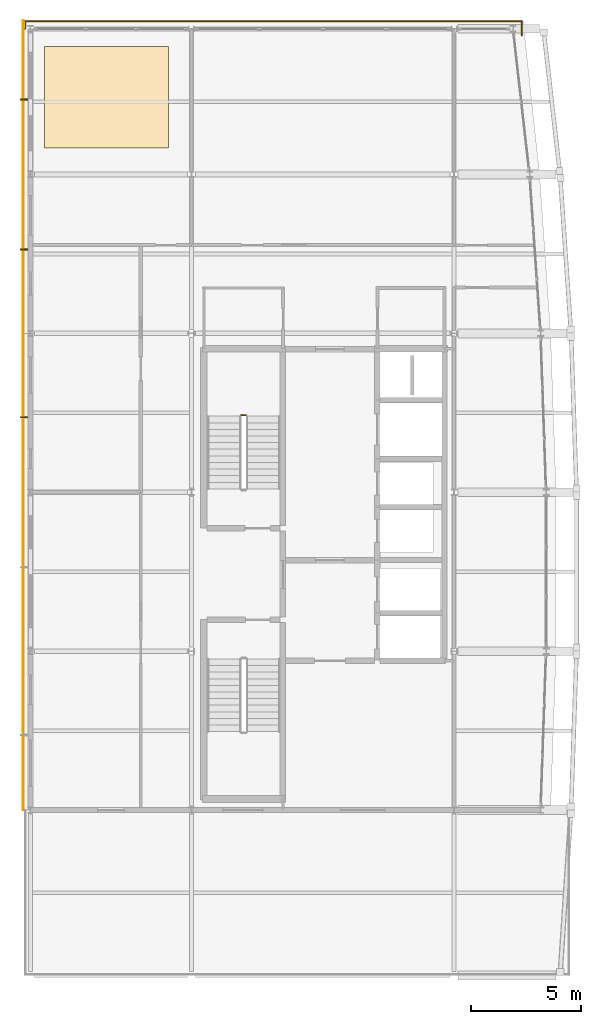
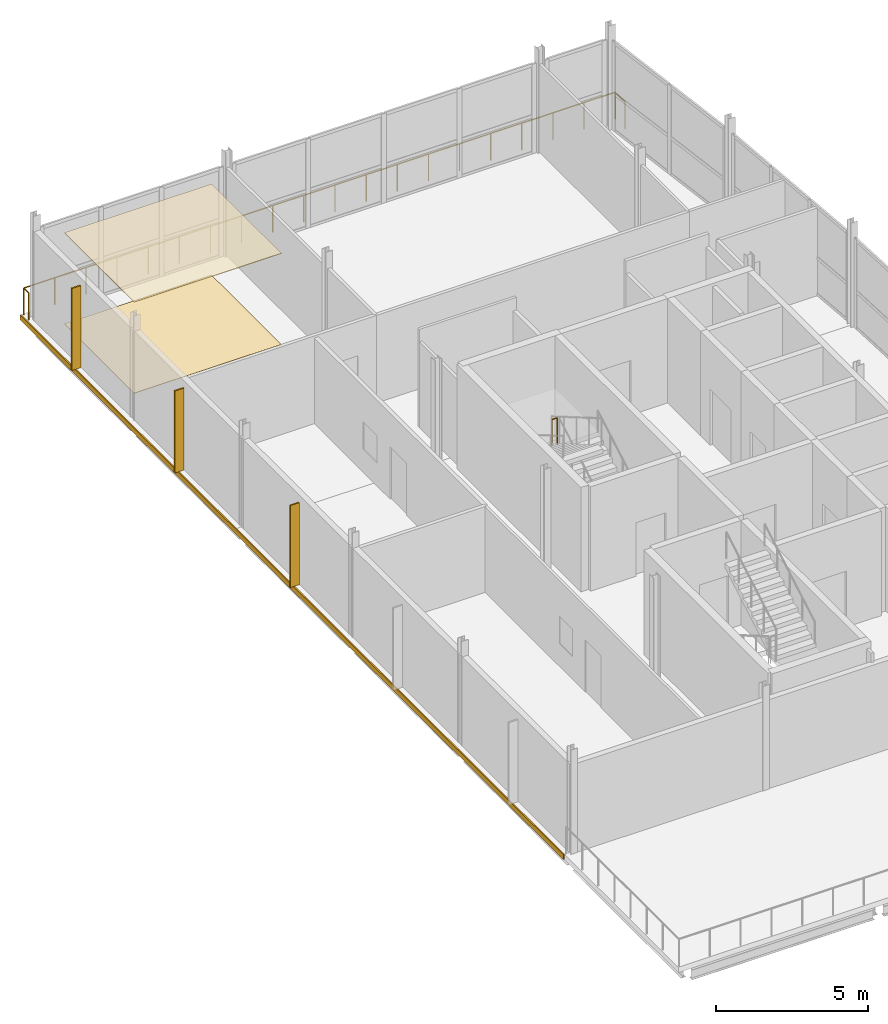
# One storey, part 17 of 17: 3 coverings, 3 shading devices, 2 railings.
"""IFC4 building model written with IfcOpenShell, lengths in metres."""

from ifc_helpers import new_model, si_unit, direction, frame, origin, origin_2d, place, context, subcontext, project, spatial, polyline, rectangle, circle, outline, extrude, material, layer, layer_set, type_object, element, save


model = new_model("IFC4")

# Units and contexts
model_context = context("Model", 3, precision=1e-05, world=origin(), true_north=direction((0.0, 1.0)))
body_context = subcontext(model_context, "Body", "Model", "MODEL_VIEW")
ifc_project = project(units=[si_unit("LENGTHUNIT", "METRE"), si_unit("AREAUNIT", "SQUARE_METRE"), si_unit("VOLUMEUNIT", "CUBIC_METRE"), si_unit("PLANEANGLEUNIT", "RADIAN"), si_unit("MASSUNIT", "GRAM", prefix="KILO")], contexts=[model_context])

# Site, building, storey
site_placement = place(None, origin())
site = spatial("IfcSite", under=ifc_project, at=site_placement, CompositionType="ELEMENT")
building_placement = place(site_placement, origin())
building = spatial("IfcBuilding", under=site, at=building_placement, Name="Quillay Park Conservatory", CompositionType="ELEMENT")
storey_placement = place(building_placement, frame((0.0, 0.0, 60.300048828125)))
storey = spatial("IfcBuildingStorey", under=building, at=storey_placement, Name="L14", CompositionType="ELEMENT", Elevation=60.300048828125)

# Coverings
ifc_material_1 = material(Name="Perforated Mineral-Fibre Acoustic Ceiling")
ifc_layer_1 = layer(ifc_material_1, 0.02490234375)
ifc_layer_set_1 = layer_set([ifc_layer_1], Name="ACOUSTIC MINERAL CEILING 25 (Perforated Mineral-Fibre Acoustic Ceiling)")
covering_type_1 = type_object("IfcCoveringType", Name="ACOUSTIC MINERAL CEILING 25", PredefinedType="CEILING", material=ifc_layer_set_1)
covering_1_placement = place(storey_placement, frame((0.0, 0.0, 3.661865234375)))
element("IfcCovering", 1, at=covering_1_placement, inside=storey, type_object=covering_type_1, Name="L14 Suspended Acoustic Ceiling", PredefinedType="CEILING", context=body_context, shape_type="SweptSolid", body=[
    extrude(outline(polyline([(1.199951171875, 108.0), (6.800048828125, 108.0), (6.800048828125, 112.60009765625), (1.199951171875, 112.60009765625), (1.199951171875, 108.0)])), origin(), (0.0, 0.0, 1.0), 0.025146484375),
])
ifc_material_2 = material(Name="Glass-Fibre Reinforced Concrete (GRC) Cladding", Category="concrete")
ifc_layer_2 = layer(ifc_material_2, 0.044921875)
ifc_layer_set_2 = layer_set([ifc_layer_2], Name="GRC SPANDREL CLADDING 45 (Glass-Fibre Reinforced Concrete (GRC) Cladding)")
covering_type_2 = type_object("IfcCoveringType", Name="GRC SPANDREL CLADDING 45", PredefinedType="CLADDING", material=ifc_layer_set_2)
covering_2_placement = place(storey_placement, frame((0.0, 0.0, -0.199951171875)))
element("IfcCovering", 2, at=covering_2_placement, inside=storey, type_object=covering_type_2, Name="L14 West Folded GRC Spandrel Ribbon", PredefinedType="CLADDING", context=body_context, shape_type="SweptSolid", body=[
    extrude(outline(polyline([(0.205078125, 78.0), (0.25, 78.0), (0.25, 113.800048828125), (0.205078125, 113.800048828125), (0.205078125, 78.0)])), origin(), (0.0, 0.0, 1.0), 0.199951171875),
])
ifc_material_3 = material(Name="Seamless Chemical-Resistant Epoxy Flooring")
ifc_layer_3 = layer(ifc_material_3, 0.01806640625)
ifc_layer_set_3 = layer_set([ifc_layer_3], Name="SEAMLESS EPOXY LAB FLOORING 18 (Seamless Chemical-Resistant Epoxy Flooring)")
covering_type_3 = type_object("IfcCoveringType", Name="SEAMLESS EPOXY LAB FLOORING 18", PredefinedType="FLOORING", material=ifc_layer_set_3)
covering_3_placement = place(storey_placement, origin())
element("IfcCovering", 3, at=covering_3_placement, inside=storey, type_object=covering_type_3, Name="L14 Interior Flooring Finish", PredefinedType="FLOORING", context=body_context, shape_type="SweptSolid", body=[
    extrude(outline(polyline([(1.199951171875, 108.0), (6.800048828125, 108.0), (6.800048828125, 112.60009765625), (1.199951171875, 112.60009765625), (1.199951171875, 108.0)])), origin(), (0.0, 0.0, 1.0), 0.01806640625),
])

# Railings
ifc_material_4 = material(Name="Steel S355J2H", Category="steel")
railing_type_1 = type_object("IfcRailingType", Name="STAIR WELL GUARDRAIL 1100", PredefinedType="GUARDRAIL", material=ifc_material_4)
railing_1_placement = place(storey_placement, frame((10.31005859375, 95.89990234375, 2.099853515625)))
element("IfcRailing", 4, at=railing_1_placement, inside=storey, type_object=railing_type_1, Name="L14 ST-T1 stair guard 2", PredefinedType="GUARDRAIL", context=body_context, shape_type="SweptSolid", body=[
    extrude(circle(Radius=0.02392578125, at=origin_2d()), frame((0.0, 0.0, 1.076171875), z_axis=(-1.0, 0.0, 0.0), x_axis=(0.0, -1.0, 0.0)), (0.0, 0.0, 1.0), 0.199951171875),
    extrude(circle(Radius=0.02099609375, at=origin_2d()), origin(), (0.0, 0.0, 1.0), 1.052001953125),
    extrude(circle(Radius=0.02099609375, at=origin_2d()), frame((-0.199951171875, 0.0, 0.0)), (0.0, 0.0, 1.0), 1.052001953125),
])
ifc_material_5 = material(Name="Steel S355J2H", Category="steel")
railing_type_2 = type_object("IfcRailingType", Name="TERRACE PERIMETER GUARDRAIL 1100", PredefinedType="GUARDRAIL", material=ifc_material_5)
railing_2_placement = place(storey_placement, frame((0.31005859375, 113.39990234375, 0.0)))
element("IfcRailing", 5, at=railing_2_placement, inside=storey, type_object=railing_type_2, Name="L14 Perimeter Safety Guardrail 040", PredefinedType="GUARDRAIL", context=body_context, shape_type="SweptSolid", body=[
    extrude(circle(Radius=0.02392578125, at=origin_2d()), frame((0.0, 0.0, 1.076171875), z_axis=(0.0, 1.0, 0.0), x_axis=(-1.0, 0.0, 0.0)), (0.0, 0.0, 1.0), 0.340087890625),
    extrude(circle(Radius=0.02392578125, at=origin_2d()), frame((0.0, 0.340087890625, 1.076171875), z_axis=(1.0, 0.0, 0.0), x_axis=(0.0, 1.0, 0.0)), (0.0, 0.0, 1.0), 22.5048828125),
    extrude(circle(Radius=0.02392578125, at=origin_2d()), frame((22.5048828125, 0.340087890625, 1.076171875), z_axis=(0.0, -1.0, 0.0), x_axis=(1.0, 0.0, 0.0)), (0.0, 0.0, 1.0), 0.639892578125),
    extrude(circle(Radius=0.02099609375, at=origin_2d()), origin(), (0.0, 0.0, 1.0), 1.052001953125),
    extrude(circle(Radius=0.02099609375, at=origin_2d()), frame((0.0, 0.340087890625, 0.0)), (0.0, 0.0, 1.0), 1.052001953125),
    extrude(circle(Radius=0.02099609375, at=origin_2d()), frame((1.1845703125, 0.340087890625, 0.0)), (0.0, 0.0, 1.0), 1.052001953125),
    extrude(circle(Radius=0.02099609375, at=origin_2d()), frame((2.368896484375, 0.340087890625, 0.0)), (0.0, 0.0, 1.0), 1.052001953125),
    extrude(circle(Radius=0.02099609375, at=origin_2d()), frame((3.553466796875, 0.340087890625, 0.0)), (0.0, 0.0, 1.0), 1.052001953125),
    extrude(circle(Radius=0.02099609375, at=origin_2d()), frame((4.73779296875, 0.340087890625, 0.0)), (0.0, 0.0, 1.0), 1.052001953125),
    extrude(circle(Radius=0.02099609375, at=origin_2d()), frame((5.92236328125, 0.340087890625, 0.0)), (0.0, 0.0, 1.0), 1.052001953125),
    extrude(circle(Radius=0.02099609375, at=origin_2d()), frame((7.106689453125, 0.340087890625, 0.0)), (0.0, 0.0, 1.0), 1.052001953125),
    extrude(circle(Radius=0.02099609375, at=origin_2d()), frame((8.291259765625, 0.340087890625, 0.0)), (0.0, 0.0, 1.0), 1.052001953125),
    extrude(circle(Radius=0.02099609375, at=origin_2d()), frame((9.475830078125, 0.340087890625, 0.0)), (0.0, 0.0, 1.0), 1.052001953125),
    extrude(circle(Radius=0.02099609375, at=origin_2d()), frame((10.66015625, 0.340087890625, 0.0)), (0.0, 0.0, 1.0), 1.052001953125),
    extrude(circle(Radius=0.02099609375, at=origin_2d()), frame((11.8447265625, 0.340087890625, 0.0)), (0.0, 0.0, 1.0), 1.052001953125),
    extrude(circle(Radius=0.02099609375, at=origin_2d()), frame((13.029052734375, 0.340087890625, 0.0)), (0.0, 0.0, 1.0), 1.052001953125),
    extrude(circle(Radius=0.02099609375, at=origin_2d()), frame((14.213623046875, 0.340087890625, 0.0)), (0.0, 0.0, 1.0), 1.052001953125),
    extrude(circle(Radius=0.02099609375, at=origin_2d()), frame((15.398193359375, 0.340087890625, 0.0)), (0.0, 0.0, 1.0), 1.052001953125),
    extrude(circle(Radius=0.02099609375, at=origin_2d()), frame((16.58251953125, 0.340087890625, 0.0)), (0.0, 0.0, 1.0), 1.052001953125),
    extrude(circle(Radius=0.02099609375, at=origin_2d()), frame((17.76708984375, 0.340087890625, 0.0)), (0.0, 0.0, 1.0), 1.052001953125),
    extrude(circle(Radius=0.02099609375, at=origin_2d()), frame((18.951416015625, 0.340087890625, 0.0)), (0.0, 0.0, 1.0), 1.052001953125),
    extrude(circle(Radius=0.02099609375, at=origin_2d()), frame((20.135986328125, 0.340087890625, 0.0)), (0.0, 0.0, 1.0), 1.052001953125),
    extrude(circle(Radius=0.02099609375, at=origin_2d()), frame((21.3203125, 0.340087890625, 0.0)), (0.0, 0.0, 1.0), 1.052001953125),
    extrude(circle(Radius=0.02099609375, at=origin_2d()), frame((22.5048828125, 0.340087890625, 0.0)), (0.0, 0.0, 1.0), 1.052001953125),
    extrude(circle(Radius=0.02099609375, at=origin_2d()), frame((22.5048828125, -0.2998046875, 0.0)), (0.0, 0.0, 1.0), 1.052001953125),
])

# Shading devices
ifc_material_6 = material(Name="Perforated Copper-Bronze Anodised Aluminium", Category="aluminium")
shading_device_type = type_object("IfcShadingDeviceType", Name="COPPER BRONZE SOLAR FIN", PredefinedType="USERDEFINED", material=ifc_material_6)
for number, where, z_axis, x_axis, name in (
    (6, (0.2548828125, 95.800048828125, 0.0), (0.0, 0.0, 1.0), (1.0, 0.0, 0.0), "L14 Perforated Copper-Bronze Solar Fin 053"),
    (7, (0.2548828125, 103.39990234375, 0.0), (0.0, 0.0, 1.0), (1.0, 0.0, 0.0), "L14 Perforated Copper-Bronze Solar Fin 054"),
    (8, (0.2548828125, 110.199951171875, 0.0), (0.0, 0.0, 1.0), (1.0, 0.0, 0.0), "L14 Perforated Copper-Bronze Solar Fin 055"),
):
    element("IfcShadingDevice", number, at=place(storey_placement, frame(where, z_axis=z_axis, x_axis=x_axis)), inside=storey, type_object=shading_device_type, Name=name, ObjectType="SOLAR FIN", PredefinedType="USERDEFINED", context=body_context, shape_type="SweptSolid", body=[
        extrude(rectangle(XDim=0.35009765625, YDim=0.054931640625, at=origin_2d()), origin(), (0.0, 0.0, 1.0), 3.300048828125),
    ])

save(model, "model.ifc")
